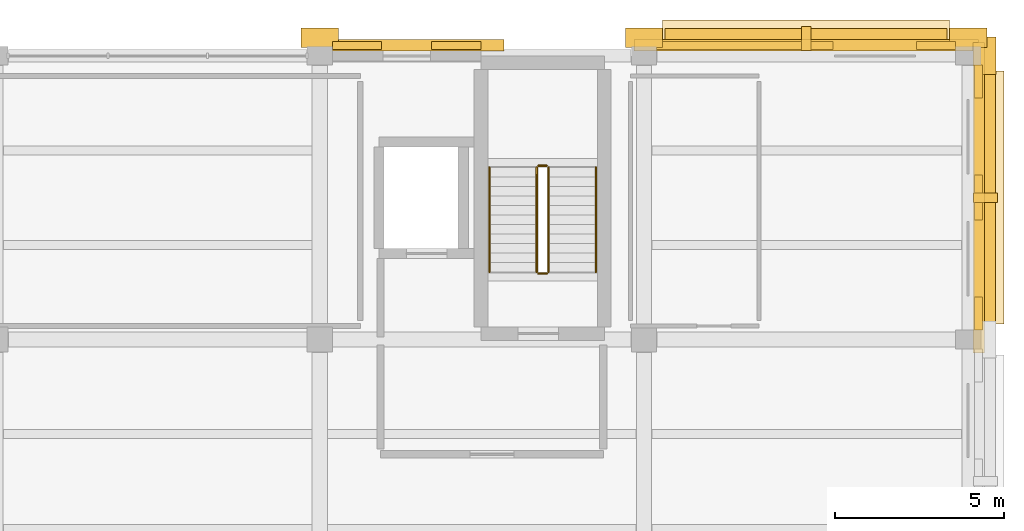
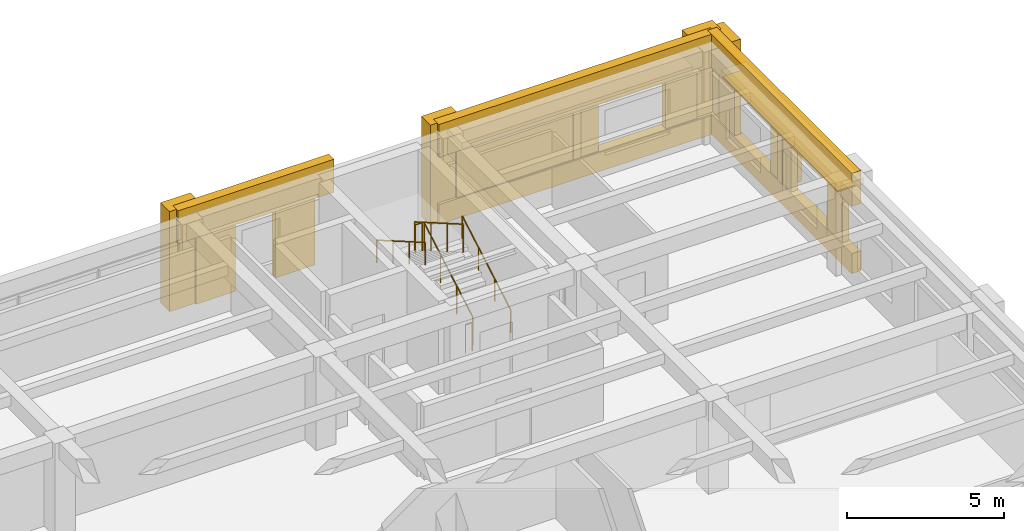
# One storey, part 10 of 10: 20 coverings, 6 railings, 2 shading devices.
"""IFC4 building model written with IfcOpenShell, lengths in metres."""

import ifcopenshell
import ifcopenshell.guid

model = None  # the IFC model being written
_history = None  # IfcOwnerHistory: only IFC2X3 demands one
_inside = {}  # id of a spatial element -> (the spatial element, [elements in it])
_under = {}  # id of a project, library or spatial element -> (it, [spatial elements below it])
_declared = {}  # id of a project -> (the project, [libraries it declares])
_typed = {}  # id of a type object -> (the type object, [elements of that type])
_made_of = {}  # id of a material, layer set ... -> (it, [elements and type objects made of it])


def new_model(schema):
    """Start an empty IFC model of exactly this schema.

    Asked for "IFC4X3", IfcOpenShell would pick the latest addendum, in which some entities
    have other attributes; the version numbers below select the first issue.
    IFC2X3 requires an IfcOwnerHistory on every rooted entity: one is made here for all.
    """
    global model, _history
    if schema == "IFC4X3":
        model = ifcopenshell.file(schema_version=(4, 3, 0, 0))
    else:
        model = ifcopenshell.file(schema=schema)
    _inside.clear()
    _under.clear()
    _declared.clear()
    _typed.clear()
    _made_of.clear()
    _history = None
    if model.schema == "IFC2X3":
        org = make("IfcOrganization", Name="unknown")
        user = make(
            "IfcPersonAndOrganization",
            ThePerson=make("IfcPerson", FamilyName="unknown"),
            TheOrganization=org,
        )
        app = make(
            "IfcApplication",
            ApplicationDeveloper=org,
            Version="unknown",
            ApplicationFullName="unknown",
            ApplicationIdentifier="unknown",
        )
        _history = make(
            "IfcOwnerHistory",
            OwningUser=user,
            OwningApplication=app,
            ChangeAction="ADDED",
            CreationDate=0,
        )
    return model


def make(cls, **values):
    """One entity of the class cls with the attributes given. An attribute that is None is left unset."""
    return model.create_entity(
        cls, **{name: value for name, value in values.items() if value is not None}
    )


def rooted(cls, **values):
    """An entity with a GlobalId (a new one), such as an element, a storey or a relation."""
    return make(cls, GlobalId=ifcopenshell.guid.new(), OwnerHistory=_history, **values)


def si_unit(unit_type, name, prefix=None):
    """IfcSIUnit, for example si_unit("LENGTHUNIT", "METRE", prefix="MILLI")."""
    return make("IfcSIUnit", UnitType=unit_type, Prefix=prefix, Name=name)


def assignment(units):
    """IfcUnitAssignment: the units of a project."""
    return None if units is None else make("IfcUnitAssignment", Units=units)


def point(xyz):
    """IfcCartesianPoint."""
    return None if xyz is None else make("IfcCartesianPoint", Coordinates=xyz)


def direction(xyz):
    """IfcDirection."""
    return None if xyz is None else make("IfcDirection", DirectionRatios=xyz)


def frame(location, z_axis=None, x_axis=None):
    """IfcAxis2Placement3D, a coordinate frame: its origin and axes. An axis left out is left unset."""
    return make(
        "IfcAxis2Placement3D",
        Location=point(location),
        Axis=direction(z_axis),
        RefDirection=direction(x_axis),
    )


def frame_2d(location, x_axis=None):
    """IfcAxis2Placement2D, a coordinate frame in the plane: its origin and x axis."""
    return make(
        "IfcAxis2Placement2D", Location=point(location), RefDirection=direction(x_axis)
    )


def origin():
    """The frame at (0, 0, 0) with its axes left unset."""
    return frame((0.0, 0.0, 0.0))


def origin_2d():
    """The frame at (0, 0) in the plane with its x axis left unset."""
    return frame_2d((0.0, 0.0))


def place(relative_to, where):
    """IfcLocalPlacement: puts the frame where relative to a parent placement (None: the world)."""
    return make(
        "IfcLocalPlacement", PlacementRelTo=relative_to, RelativePlacement=where
    )


def context(
    kind, dimensions, precision=None, world=None, true_north=None, identifier=None
):
    """IfcGeometricRepresentationContext, for example the 3D "Model" context."""
    return make(
        "IfcGeometricRepresentationContext",
        ContextIdentifier=identifier,
        ContextType=kind,
        CoordinateSpaceDimension=dimensions,
        Precision=precision,
        WorldCoordinateSystem=world,
        TrueNorth=true_north,
    )


def subcontext(parent, identifier, kind, view, scale=None):
    """IfcGeometricRepresentationSubContext, for example "Body" below "Model"."""
    return make(
        "IfcGeometricRepresentationSubContext",
        ContextIdentifier=identifier,
        ContextType=kind,
        ParentContext=parent,
        TargetScale=scale,
        TargetView=view,
    )


def project(units=None, contexts=None):
    """IfcProject with its units and contexts."""
    return rooted(
        "IfcProject",
        Name="project",
        RepresentationContexts=contexts,
        UnitsInContext=assignment(units),
    )


def spatial(cls, under=None, at=None, **own):
    """A site, building, storey or space (cls), placed at a placement, below another one or the project."""
    s = rooted(cls, ObjectPlacement=at, **own)
    if under is not None:
        _under.setdefault(under.id(), (under, []))[1].append(s)
    return s


def profile(cls, at=None, kind="AREA", **sizes):
    """A parametric profile (cls). Its sizes go by their IFC names, for example OverallWidth=200.0."""
    return make(cls, ProfileType=kind, Position=at, **sizes)


def rectangle(**sizes):
    """IfcRectangleProfileDef."""
    return profile("IfcRectangleProfileDef", **sizes)


def circle(**sizes):
    """IfcCircleProfileDef."""
    return profile("IfcCircleProfileDef", **sizes)


def extrude(swept, where, along, depth):
    """IfcExtrudedAreaSolid: the profile swept, set in the frame where, extruded along a direction by depth."""
    return make(
        "IfcExtrudedAreaSolid",
        SweptArea=swept,
        Position=where,
        ExtrudedDirection=direction(along),
        Depth=depth,
    )


def shape(context_of_items, identifier, shape_type, items):
    """IfcShapeRepresentation: the items that make up one representation, for example the "Body"."""
    return make(
        "IfcShapeRepresentation",
        ContextOfItems=context_of_items,
        RepresentationIdentifier=identifier,
        RepresentationType=shape_type,
        Items=items,
    )


def material(Name=None, Category=None):
    """IfcMaterial."""
    return make("IfcMaterial", Name=Name, Category=Category)


def layer(
    of_material, thickness, ventilated=None, Name=None, Category=None, Priority=None
):
    """IfcMaterialLayer: one layer of a wall or slab, of a material (None: an air gap)."""
    return make(
        "IfcMaterialLayer",
        Material=of_material,
        LayerThickness=thickness,
        IsVentilated=ventilated,
        Name=Name,
        Category=Category,
        Priority=Priority,
    )


def layer_set(layers, Name=None):
    """IfcMaterialLayerSet."""
    return make("IfcMaterialLayerSet", MaterialLayers=layers, LayerSetName=Name)


def made_of(thing, what):
    """Note that an element or type object is made of a material, layer set ...; save() writes the relation."""
    if what is not None:
        _made_of.setdefault(what.id(), (what, []))[1].append(thing)
    return thing


def type_object(cls, material=None, **own):
    """A type object (cls), such as IfcWallType, which elements share."""
    return made_of(rooted(cls, **own), material)


def element(
    cls,
    number,
    at=None,
    inside=None,
    cuts=None,
    type_object=None,
    material=None,
    context=None,
    identifier="Body",
    shape_type=None,
    held_by="IfcProductDefinitionShape",
    body=None,
    shapes=None,
    **own,
):
    """One element of the class cls, such as IfcWall. Its Tag is "e" and its number.

    at: its placement. inside: the storey or other place that contains it. cuts: it is an
    opening in that element (IfcRelVoidsElement). A single representation is given by context,
    identifier, shape_type and body (its items); several are given by shapes. held_by: the class
    of the entity that holds the representations. save() writes the other relations.
    """
    e = rooted(cls, Tag="e%d" % number, ObjectPlacement=at, **own)
    if body is not None:
        shapes = [shape(context, identifier, shape_type, body)]
    if shapes is not None:
        e.Representation = make(held_by, Representations=shapes)
    if inside is not None:
        _inside.setdefault(inside.id(), (inside, []))[1].append(e)
    if cuts is not None:
        rooted(
            "IfcRelVoidsElement", RelatingBuildingElement=cuts, RelatedOpeningElement=e
        )
    if type_object is not None:
        _typed.setdefault(type_object.id(), (type_object, []))[1].append(e)
    return made_of(e, material)


def aggregate(whole, parts):
    """IfcRelAggregates: a whole, such as a stair, and the parts it consists of."""
    return rooted("IfcRelAggregates", RelatingObject=whole, RelatedObjects=parts)


def save(model, path):
    """Write the relations noted so far, then the file.

    IfcRelAggregates (storeys below a building ...), IfcRelContainedInSpatialStructure (elements
    in a storey), IfcRelDefinesByType, IfcRelAssociatesMaterial and IfcRelDeclares: one each for
    every whole, place, type object, material and project.
    """
    for whole, parts in _under.values():
        aggregate(whole, parts)
    for where, things in _inside.values():
        rooted(
            "IfcRelContainedInSpatialStructure",
            RelatedElements=things,
            RelatingStructure=where,
        )
    for kind, things in _typed.values():
        rooted("IfcRelDefinesByType", RelatedObjects=things, RelatingType=kind)
    for what, things in _made_of.values():
        rooted("IfcRelAssociatesMaterial", RelatedObjects=things, RelatingMaterial=what)
    for by, libraries in _declared.values():
        rooted("IfcRelDeclares", RelatingContext=by, RelatedDefinitions=libraries)
    model.write(path)


model = new_model("IFC4")

# Units and contexts
model_context = context("Model", 3, precision=1e-05, world=origin(), true_north=direction((0.0, 1.0)))
body_context = subcontext(model_context, "Body", "Model", "MODEL_VIEW")
ifc_project = project(units=[si_unit("LENGTHUNIT", "METRE"), si_unit("AREAUNIT", "SQUARE_METRE"), si_unit("VOLUMEUNIT", "CUBIC_METRE"), si_unit("PLANEANGLEUNIT", "RADIAN"), si_unit("MASSUNIT", "GRAM", prefix="KILO")], contexts=[model_context])

# Site, building, storey
site_placement = place(None, origin())
site = spatial("IfcSite", under=ifc_project, at=site_placement, CompositionType="ELEMENT")
building_placement = place(site_placement, origin())
building = spatial("IfcBuilding", under=site, at=building_placement, Name="Bempovik Park Faculty of Sciences", CompositionType="ELEMENT")
storey_placement = place(building_placement, frame((0.0, 0.0, 26.699951171875)))
storey = spatial("IfcBuildingStorey", under=building, at=storey_placement, Name="L06", CompositionType="ELEMENT", Elevation=26.699951171875)

# Coverings
ifc_material_1 = material(Name="Precast concrete C40/50", Category="concrete")
ifc_layer_1 = layer(ifc_material_1, 0.179931640625)
ifc_layer_set_1 = layer_set([ifc_layer_1], Name="Precast concrete C40/50")
covering_type_1 = type_object("IfcCoveringType", Name="CL-02 Classical Cornice Band 180mm", PredefinedType="CLADDING", material=ifc_layer_set_1)
covering_1_placement = place(storey_placement, frame((118.199951171875, 115.199951171875, 2.66015625), z_axis=(0.0, 0.0, 1.0), x_axis=(1.0, 0.0, 0.0)))
element("IfcCovering", 1, at=covering_1_placement, inside=storey, type_object=covering_type_1, Name="L06 Classical Stone Solar Window Hood EW-L06-10372", PredefinedType="CLADDING", context=body_context, shape_type="SweptSolid", body=[
    extrude(rectangle(XDim=0.919921875, YDim=7.49609375, at=origin_2d()), origin(), (0.0, 0.0, 1.0), 0.219970703125),
])
covering_2_placement = place(storey_placement, frame((112.800048828125, 120.0, 2.66015625), z_axis=(0.0, 0.0, 1.0), x_axis=(1.0, 0.0, 0.0)))
element("IfcCovering", 2, at=covering_2_placement, inside=storey, type_object=covering_type_1, Name="L06 Classical Stone Solar Window Hood EW-L06-10444", PredefinedType="CLADDING", context=body_context, shape_type="SweptSolid", body=[
    extrude(rectangle(XDim=8.49609375, YDim=0.919921875, at=origin_2d()), origin(), (0.0, 0.0, 1.0), 0.219970703125),
])
ifc_material_2 = material(Name="White reconstituted limestone precast C40/50", Category="masonry")
ifc_layer_2 = layer(ifc_material_2, 0.239990234375)
ifc_layer_set_2 = layer_set([ifc_layer_2], Name="White reconstituted limestone precast C40/50")
covering_type_2 = type_object("IfcCoveringType", Name="CL-03 Classical Fluted Limestone Pilaster 240mm", PredefinedType="CLADDING", material=ifc_layer_set_2)
covering_3_placement = place(storey_placement, frame((117.909912109375, 115.199951171875, 2.6201171875), z_axis=(0.0, 0.0, 1.0), x_axis=(1.0, 0.0, 0.0)))
element("IfcCovering", 3, at=covering_3_placement, inside=storey, type_object=covering_type_2, Name="L06 Classical Limestone Spandrel Entablature EW-L06-10372", PredefinedType="CLADDING", context=body_context, shape_type="SweptSolid", body=[
    extrude(rectangle(XDim=0.340087890625, YDim=9.196044921875, at=origin_2d()), origin(), (0.0, 0.0, 1.0), 1.280029296875),
])
covering_4_placement = place(storey_placement, frame((117.909912109375, 115.199951171875, 0.0), z_axis=(0.0, 0.0, 1.0), x_axis=(1.0, 0.0, 0.0)))
element("IfcCovering", 4, at=covering_4_placement, inside=storey, type_object=covering_type_2, Name="L06 Classical Limestone Sill Dado EW-L06-10372", PredefinedType="CLADDING", context=body_context, shape_type="SweptSolid", body=[
    extrude(rectangle(XDim=0.340087890625, YDim=9.196044921875, at=origin_2d()), origin(), (0.0, 0.0, 1.0), 0.780029296875),
])
covering_5_placement = place(storey_placement, frame((118.1298828125, 119.39990234375, 0.0), z_axis=(0.0, 0.0, 1.0), x_axis=(1.0, 0.0, 0.0)))
element("IfcCovering", 5, at=covering_5_placement, inside=storey, type_object=covering_type_2, Name="L06 Classical Fluted Stone Pilaster PIL-BA-L06-1181-1194", PredefinedType="CLADDING", context=body_context, shape_type="SweptSolid", body=[
    extrude(rectangle(XDim=0.580078125, YDim=1.10009765625, at=origin_2d()), origin(), (0.0, 0.0, 1.0), 3.89990234375),
])
covering_6_placement = place(storey_placement, frame((117.89990234375, 111.76611328125, 0.0), z_axis=(0.0, 0.0, 1.0), x_axis=(1.0, 0.0, 0.0)))
element("IfcCovering", 6, at=covering_6_placement, inside=storey, type_object=covering_type_2, Name="L06 White Limestone Wall Cheek EW-L06-10372-0", PredefinedType="CLADDING", context=body_context, shape_type="SweptSolid", body=[
    extrude(rectangle(XDim=0.239990234375, YDim=0.978515625, at=origin_2d()), origin(), (0.0, 0.0, 1.0), 2.780029296875),
])
covering_7_placement = place(storey_placement, frame((117.89990234375, 115.199951171875, 0.0), z_axis=(0.0, 0.0, 1.0), x_axis=(1.0, 0.0, 0.0)))
element("IfcCovering", 7, at=covering_7_placement, inside=storey, type_object=covering_type_2, Name="L06 White Limestone Wall Cheek EW-L06-10372-2", PredefinedType="CLADDING", context=body_context, shape_type="SweptSolid", body=[
    extrude(rectangle(XDim=0.239990234375, YDim=1.3291015625, at=origin_2d()), origin(), (0.0, 0.0, 1.0), 2.780029296875),
])
covering_8_placement = place(storey_placement, frame((117.89990234375, 118.6337890625, 0.0), z_axis=(0.0, 0.0, 1.0), x_axis=(1.0, 0.0, 0.0)))
element("IfcCovering", 8, at=covering_8_placement, inside=storey, type_object=covering_type_2, Name="L06 White Limestone Wall Cheek EW-L06-10372-4", PredefinedType="CLADDING", context=body_context, shape_type="SweptSolid", body=[
    extrude(rectangle(XDim=0.239990234375, YDim=0.978515625, at=origin_2d()), origin(), (0.0, 0.0, 1.0), 2.780029296875),
])
covering_9_placement = place(storey_placement, frame((118.110107421875, 115.199951171875, 0.64990234375), z_axis=(0.0, 0.0, 1.0), x_axis=(1.0, 0.0, 0.0)))
element("IfcCovering", 9, at=covering_9_placement, inside=storey, type_object=covering_type_2, Name="L06 Classical Vertical Stone Shading Fin EW-L06-10372", PredefinedType="CLADDING", context=body_context, shape_type="SweptSolid", body=[
    extrude(rectangle(XDim=0.719970703125, YDim=0.280029296875, at=origin_2d()), origin(), (0.0, 0.0, 1.0), 2.050048828125),
])
covering_10_placement = place(storey_placement, frame((100.9755859375, 119.7099609375, 2.6201171875), z_axis=(0.0, 0.0, 1.0), x_axis=(1.0, 0.0, 0.0)))
element("IfcCovering", 10, at=covering_10_placement, inside=storey, type_object=covering_type_2, Name="L06 Classical Limestone Spandrel Entablature EW-L06-10437", PredefinedType="CLADDING", context=body_context, shape_type="SweptSolid", body=[
    extrude(rectangle(XDim=5.7470703125, YDim=0.340087890625, at=origin_2d()), origin(), (0.0, 0.0, 1.0), 1.280029296875),
])
for number, where, z_axis, x_axis, name in (
    (11, (98.39990234375, 119.929931640625, 0.0), (0.0, 0.0, 1.0), (1.0, 0.0, 0.0), "L06 Classical Fluted Stone Pilaster PIL-BA-L06-984-1199"),
    (12, (108.0, 119.929931640625, 0.0), (0.0, 0.0, 1.0), (1.0, 0.0, 0.0), "L06 Classical Fluted Stone Pilaster PIL-BA-L06-1080-1199"),
):
    element("IfcCovering", number, at=place(storey_placement, frame(where, z_axis=z_axis, x_axis=x_axis)), inside=storey, type_object=covering_type_2, Name=name, PredefinedType="CLADDING", context=body_context, shape_type="SweptSolid", body=[
        extrude(rectangle(XDim=1.10009765625, YDim=0.580078125, at=origin_2d()), origin(), (0.0, 0.0, 1.0), 3.89990234375),
    ])
for number, where, z_axis, x_axis, name in (
    (13, (99.506103515625, 119.699951171875, 0.0), (0.0, 0.0, 1.0), (1.0, 0.0, 0.0), "L06 Stairwell White Limestone Cheek EW-L06-10437-1"),
    (14, (102.444580078125, 119.699951171875, 0.0), (0.0, 0.0, 1.0), (1.0, 0.0, 0.0), "L06 Stairwell White Limestone Cheek EW-L06-10437-2"),
):
    element("IfcCovering", number, at=place(storey_placement, frame(where, z_axis=z_axis, x_axis=x_axis)), inside=storey, type_object=covering_type_2, Name=name, PredefinedType="CLADDING", context=body_context, shape_type="SweptSolid", body=[
        extrude(rectangle(XDim=1.45849609375, YDim=0.239990234375, at=origin_2d()), origin(), (0.0, 0.0, 1.0), 2.780029296875),
    ])
covering_11_placement = place(storey_placement, frame((112.800048828125, 119.7099609375, 2.6201171875), z_axis=(0.0, 0.0, 1.0), x_axis=(1.0, 0.0, 0.0)))
element("IfcCovering", 15, at=covering_11_placement, inside=storey, type_object=covering_type_2, Name="L06 Classical Limestone Spandrel Entablature EW-L06-10444", PredefinedType="CLADDING", context=body_context, shape_type="SweptSolid", body=[
    extrude(rectangle(XDim=10.196044921875, YDim=0.340087890625, at=origin_2d()), origin(), (0.0, 0.0, 1.0), 1.280029296875),
])
covering_12_placement = place(storey_placement, frame((112.800048828125, 119.7099609375, 0.0), z_axis=(0.0, 0.0, 1.0), x_axis=(1.0, 0.0, 0.0)))
element("IfcCovering", 16, at=covering_12_placement, inside=storey, type_object=covering_type_2, Name="L06 Classical Limestone Sill Dado EW-L06-10444", PredefinedType="CLADDING", context=body_context, shape_type="SweptSolid", body=[
    extrude(rectangle(XDim=10.196044921875, YDim=0.340087890625, at=origin_2d()), origin(), (0.0, 0.0, 1.0), 0.780029296875),
])
covering_13_placement = place(storey_placement, frame((117.60009765625, 119.929931640625, 0.0), z_axis=(0.0, 0.0, 1.0), x_axis=(1.0, 0.0, 0.0)))
element("IfcCovering", 17, at=covering_13_placement, inside=storey, type_object=covering_type_2, Name="L06 Classical Fluted Stone Pilaster PIL-BA-L06-1176-1199", PredefinedType="CLADDING", context=body_context, shape_type="SweptSolid", body=[
    extrude(rectangle(XDim=1.10009765625, YDim=0.580078125, at=origin_2d()), origin(), (0.0, 0.0, 1.0), 3.89990234375),
])
covering_14_placement = place(storey_placement, frame((110.98583984375, 119.699951171875, 0.0), z_axis=(0.0, 0.0, 1.0), x_axis=(1.0, 0.0, 0.0)))
element("IfcCovering", 18, at=covering_14_placement, inside=storey, type_object=covering_type_2, Name="L06 White Limestone Wall Cheek EW-L06-10444-0", PredefinedType="CLADDING", context=body_context, shape_type="SweptSolid", body=[
    extrude(rectangle(XDim=5.217529296875, YDim=0.239990234375, at=origin_2d()), origin(), (0.0, 0.0, 1.0), 2.780029296875),
])
covering_15_placement = place(storey_placement, frame((116.648681640625, 119.699951171875, 0.0), z_axis=(0.0, 0.0, 1.0), x_axis=(1.0, 0.0, 0.0)))
element("IfcCovering", 19, at=covering_15_placement, inside=storey, type_object=covering_type_2, Name="L06 White Limestone Wall Cheek EW-L06-10444-2", PredefinedType="CLADDING", context=body_context, shape_type="SweptSolid", body=[
    extrude(rectangle(XDim=1.1484375, YDim=0.239990234375, at=origin_2d()), origin(), (0.0, 0.0, 1.0), 2.780029296875),
])
covering_16_placement = place(storey_placement, frame((112.800048828125, 119.909912109375, 0.64990234375), z_axis=(0.0, 0.0, 1.0), x_axis=(1.0, 0.0, 0.0)))
element("IfcCovering", 20, at=covering_16_placement, inside=storey, type_object=covering_type_2, Name="L06 Classical Vertical Stone Shading Fin EW-L06-10444", PredefinedType="CLADDING", context=body_context, shape_type="SweptSolid", body=[
    extrude(rectangle(XDim=0.280029296875, YDim=0.719970703125, at=origin_2d()), origin(), (0.0, 0.0, 1.0), 2.050048828125),
])

# Railings
ifc_material_3 = material(Name="Anodised architectural bronze")
railing_type_1 = type_object("IfcRailingType", Name="GR-01 Guardrail 1120mm", PredefinedType="GUARDRAIL", material=ifc_material_3)
railing_1_placement = place(storey_placement, frame((105.175048828125, 113.0, 0.16259765625)))
element("IfcRailing", 21, at=railing_1_placement, inside=storey, type_object=railing_type_1, Name="L06 ST-2 Stair Guard 1", PredefinedType="GUARDRAIL", context=body_context, shape_type="SweptSolid", body=[
    extrude(circle(Radius=0.02392578125, at=origin_2d()), frame((0.0, 0.0, 1.09619140625), z_axis=(0.0, 0.865882832026, 0.500246860263), x_axis=(-1.0, 0.0, 0.0)), (0.0, 0.0, 1.0), 3.572998046875),
    extrude(circle(Radius=0.02099609375, at=origin_2d()), origin(), (0.0, 0.0, 1.0), 1.072021484375),
    extrude(circle(Radius=0.02099609375, at=origin_2d()), frame((0.0, 1.03125, 0.595703125)), (0.0, 0.0, 1.0), 1.072021484375),
    extrude(circle(Radius=0.02099609375, at=origin_2d()), frame((0.0, 2.0625, 1.191650390625)), (0.0, 0.0, 1.0), 1.072021484375),
    extrude(circle(Radius=0.02099609375, at=origin_2d()), frame((0.0, 3.09375, 1.787353515625)), (0.0, 0.0, 1.0), 1.072021484375),
])
railing_2_placement = place(storey_placement, frame((105.125, 116.143798828125, 1.949951171875)))
element("IfcRailing", 22, at=railing_2_placement, inside=storey, type_object=railing_type_1, Name="L06 ST-2 Stair Guard 2", PredefinedType="GUARDRAIL", context=body_context, shape_type="SweptSolid", body=[
    extrude(circle(Radius=0.02392578125, at=origin_2d()), frame((0.0, 0.0, 1.09619140625), z_axis=(-1.0, 0.0, 0.0), x_axis=(0.0, -1.0, 0.0)), (0.0, 0.0, 1.0), 0.25),
    extrude(circle(Radius=0.02099609375, at=origin_2d()), origin(), (0.0, 0.0, 1.0), 1.072021484375),
    extrude(circle(Radius=0.02099609375, at=origin_2d()), frame((-0.25, 0.0, 0.0)), (0.0, 0.0, 1.0), 1.072021484375),
])
railing_3_placement = place(storey_placement, frame((104.824951171875, 116.09375, 2.112548828125)))
element("IfcRailing", 23, at=railing_3_placement, inside=storey, type_object=railing_type_1, Name="L06 ST-2 Stair Guard 3", PredefinedType="GUARDRAIL", context=body_context, shape_type="SweptSolid", body=[
    extrude(circle(Radius=0.02392578125, at=origin_2d()), frame((0.0, 0.0, 1.09619140625), z_axis=(0.0, -0.865853233856, 0.500298088565), x_axis=(1.0, 0.0, 0.0)), (0.0, 0.0, 1.0), 3.572998046875),
    extrude(circle(Radius=0.02099609375, at=origin_2d()), origin(), (0.0, 0.0, 1.0), 1.072021484375),
    extrude(circle(Radius=0.02099609375, at=origin_2d()), frame((0.0, -1.03125, 0.595947265625)), (0.0, 0.0, 1.0), 1.072021484375),
    extrude(circle(Radius=0.02099609375, at=origin_2d()), frame((0.0, -2.0625, 1.191650390625)), (0.0, 0.0, 1.0), 1.072021484375),
    extrude(circle(Radius=0.02099609375, at=origin_2d()), frame((0.0, -3.09375, 1.78759765625)), (0.0, 0.0, 1.0), 1.072021484375),
])
railing_4_placement = place(storey_placement, frame((105.125, 112.949951171875, 0.0)))
element("IfcRailing", 24, at=railing_4_placement, inside=storey, type_object=railing_type_1, Name="L06 ST-2 Stair Guard 4", PredefinedType="GUARDRAIL", context=body_context, shape_type="SweptSolid", body=[
    extrude(circle(Radius=0.02392578125, at=origin_2d()), frame((0.0, 0.0, 1.09619140625), z_axis=(-1.0, 0.0, 0.0), x_axis=(0.0, -1.0, 0.0)), (0.0, 0.0, 1.0), 0.25),
    extrude(circle(Radius=0.02099609375, at=origin_2d()), origin(), (0.0, 0.0, 1.0), 1.072021484375),
    extrude(circle(Radius=0.02099609375, at=origin_2d()), frame((-0.25, 0.0, 0.0)), (0.0, 0.0, 1.0), 1.072021484375),
])
railing_type_2 = type_object("IfcRailingType", Name="HR-01 Wall Handrail 900mm", PredefinedType="HANDRAIL", material=ifc_material_3)
railing_5_placement = place(storey_placement, frame((106.574951171875, 113.0, 0.16259765625)))
element("IfcRailing", 25, at=railing_5_placement, inside=storey, type_object=railing_type_2, Name="L06 ST-2 Stair Handrail 1", PredefinedType="HANDRAIL", context=body_context, shape_type="SweptSolid", body=[
    extrude(circle(Radius=0.02392578125, at=origin_2d()), frame((0.0, 0.0, 0.8759765625), z_axis=(0.0, 0.865882832026, 0.500246860263), x_axis=(-1.0, 0.0, 0.0)), (0.0, 0.0, 1.0), 3.572998046875),
    extrude(circle(Radius=0.02099609375, at=origin_2d()), origin(), (0.0, 0.0, 1.0), 0.851806640625),
    extrude(circle(Radius=0.02099609375, at=origin_2d()), frame((0.0, 1.03125, 0.595703125)), (0.0, 0.0, 1.0), 0.851806640625),
    extrude(circle(Radius=0.02099609375, at=origin_2d()), frame((0.0, 2.0625, 1.191650390625)), (0.0, 0.0, 1.0), 0.851806640625),
    extrude(circle(Radius=0.02099609375, at=origin_2d()), frame((0.0, 3.09375, 1.787353515625)), (0.0, 0.0, 1.0), 0.851806640625),
])
railing_6_placement = place(storey_placement, frame((103.425048828125, 116.09375, 2.112548828125)))
element("IfcRailing", 26, at=railing_6_placement, inside=storey, type_object=railing_type_2, Name="L06 ST-2 Stair Handrail 2", PredefinedType="HANDRAIL", context=body_context, shape_type="SweptSolid", body=[
    extrude(circle(Radius=0.02392578125, at=origin_2d()), frame((0.0, 0.0, 0.8759765625), z_axis=(0.0, -0.865853233856, 0.500298088565), x_axis=(1.0, 0.0, 0.0)), (0.0, 0.0, 1.0), 3.572998046875),
    extrude(circle(Radius=0.02099609375, at=origin_2d()), origin(), (0.0, 0.0, 1.0), 0.851806640625),
    extrude(circle(Radius=0.02099609375, at=origin_2d()), frame((0.0, -1.03125, 0.595947265625)), (0.0, 0.0, 1.0), 0.851806640625),
    extrude(circle(Radius=0.02099609375, at=origin_2d()), frame((0.0, -2.0625, 1.191650390625)), (0.0, 0.0, 1.0), 0.851806640625),
    extrude(circle(Radius=0.02099609375, at=origin_2d()), frame((0.0, -3.09375, 1.78759765625)), (0.0, 0.0, 1.0), 0.851806640625),
])

# Shading devices
ifc_layer_3 = layer(ifc_material_3, 0.06005859375)
ifc_layer_set_3 = layer_set([ifc_layer_3], Name="Anodised architectural bronze")
shading_device_type = type_object("IfcShadingDeviceType", Name="SH-01 Bronze Brise-Soleil Fin", PredefinedType="USERDEFINED", material=ifc_layer_set_3)
shading_device_1_placement = place(storey_placement, frame((118.080078125, 115.199951171875, 2.60009765625), z_axis=(0.0, 0.0, 1.0), x_axis=(1.0, 0.0, 0.0)))
element("IfcShadingDevice", 27, at=shading_device_1_placement, inside=storey, type_object=shading_device_type, Name="L06 Equatorial Bronze Brise-Soleil EW-L06-10372", ObjectType="BRISE SOLEIL", PredefinedType="USERDEFINED", context=body_context, shape_type="SweptSolid", body=[
    extrude(rectangle(XDim=0.64990234375, YDim=7.345947265625, at=origin_2d()), origin(), (0.0, 0.0, 1.0), 0.06005859375),
])
shading_device_2_placement = place(storey_placement, frame((112.800048828125, 119.8798828125, 2.60009765625), z_axis=(0.0, 0.0, 1.0), x_axis=(1.0, 0.0, 0.0)))
element("IfcShadingDevice", 28, at=shading_device_2_placement, inside=storey, type_object=shading_device_type, Name="L06 Equatorial Bronze Brise-Soleil EW-L06-10444", ObjectType="BRISE SOLEIL", PredefinedType="USERDEFINED", context=body_context, shape_type="SweptSolid", body=[
    extrude(rectangle(XDim=8.345947265625, YDim=0.64990234375, at=origin_2d()), origin(), (0.0, 0.0, 1.0), 0.06005859375),
])

save(model, "model.ifc")
